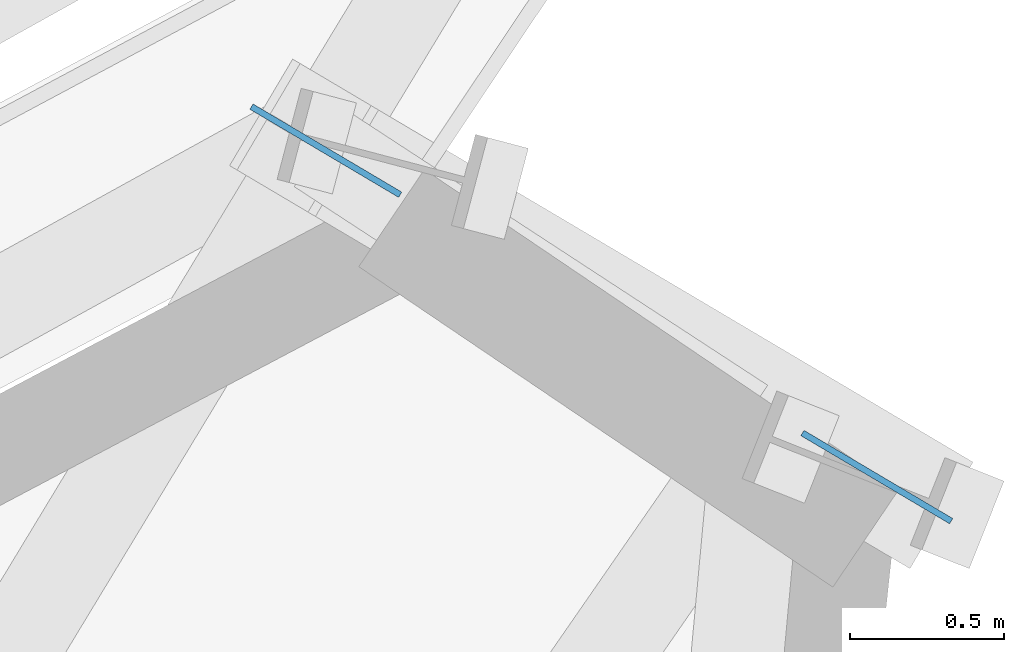
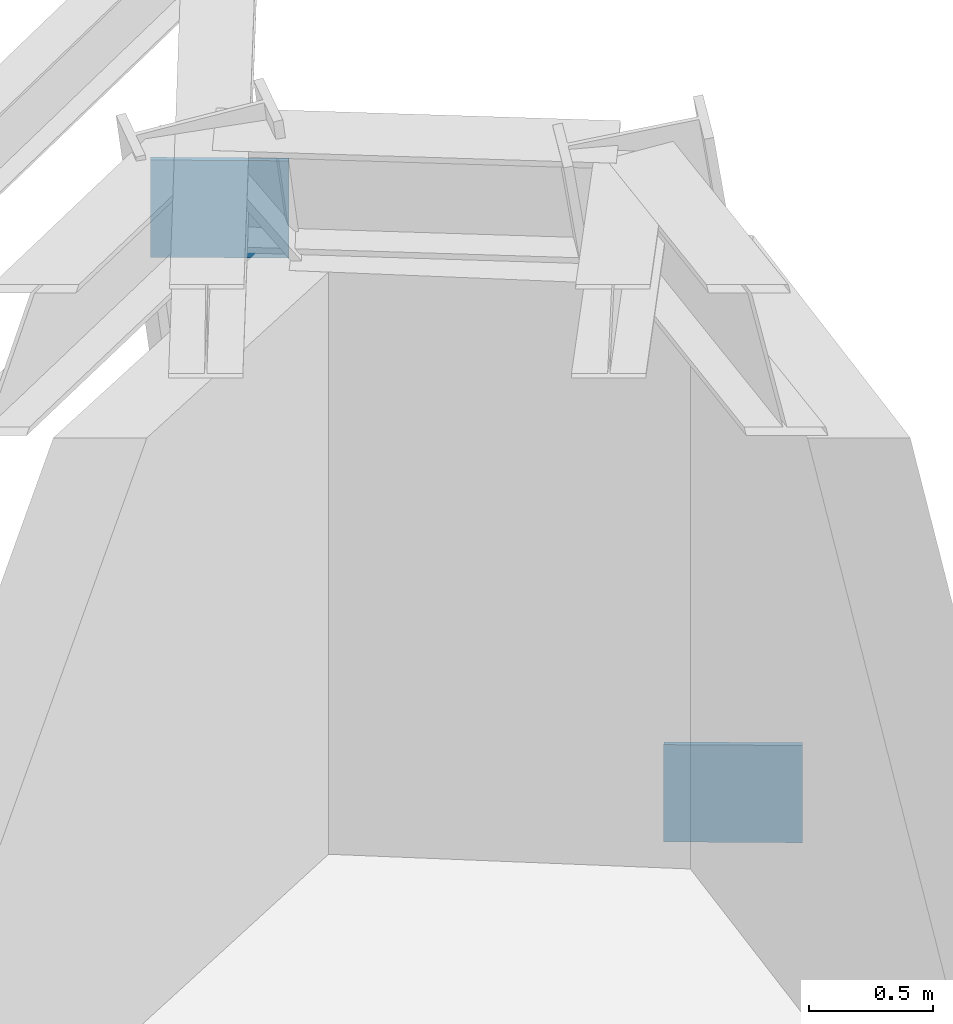
# One storey, part 7 of 13: 2 plates.
"""IFC4 building model written with IfcOpenShell, lengths in metres."""

from ifc_helpers import new_model, si_unit, direction, frame, origin, origin_2d, place, context, subcontext, project, spatial, rectangle, extrude, source, transform, mapped, material, type_object, element, save


model = new_model("IFC4")

# Units and contexts
model_context = context("Model", 3, precision=1e-05, world=origin(), true_north=direction((0.0, 1.0)))
body_context = subcontext(model_context, "Body", "Model", "MODEL_VIEW")
ifc_project = project(units=[si_unit("LENGTHUNIT", "METRE"), si_unit("AREAUNIT", "SQUARE_METRE"), si_unit("VOLUMEUNIT", "CUBIC_METRE"), si_unit("PLANEANGLEUNIT", "RADIAN"), si_unit("MASSUNIT", "GRAM", prefix="KILO")], contexts=[model_context])

# Site, building, storey
site_placement = place(None, origin())
site = spatial("IfcSite", under=ifc_project, at=site_placement, CompositionType="ELEMENT")
building_placement = place(site_placement, origin())
building = spatial("IfcBuilding", under=site, at=building_placement, Name="Olszyna Solenne Hotel", CompositionType="ELEMENT")
storey_placement = place(building_placement, frame((0.0, 0.0, 263.300048828125)))
storey = spatial("IfcBuildingStorey", under=building, at=storey_placement, Name="L70", CompositionType="ELEMENT", Elevation=263.300048828125)

# Plates
ifc_material = material(Name="Steel S355J2", Category="steel")
plate_type = type_object("IfcPlateType", Name="GP-ND2", PredefinedType="USERDEFINED", material=ifc_material)
shared_shape = source(origin(), body_context, "Body", "SweptSolid", [
    extrude(rectangle(XDim=0.56005859375, YDim=0.02001953125, at=origin_2d()), origin(), (0.0, 0.0, 1.0), 0.47998046875),
])
for number, where, z_axis, x_axis, name in (
    (1, (54.013671875, 49.038330078125, -0.11669921875), (0.0, 0.0, 1.0), (-0.860386439326, 0.509642202947, 0.0), "Brace end connection gusset plate GP-ND2 EP-BR-L70-1-1"),
    (2, (52.228759765625, 50.095703125, 2.75146484375), (0.0, 0.0, 1.0), (-0.860386439326, 0.509642202947, 0.0), "Brace end connection gusset plate GP-ND2 EP-BR-L70-1-2"),
):
    element("IfcPlate", number, at=place(storey_placement, frame(where, z_axis=z_axis, x_axis=x_axis)), inside=storey, type_object=plate_type, Name=name, ObjectType="GUSSET_PLATE", PredefinedType="USERDEFINED", context=body_context, shape_type="MappedRepresentation", body=[
        mapped(shared_shape, transform((0.0, 0.0, 0.0), x_axis=(1.0, 0.0, 0.0), y_axis=(0.0, 1.0, 0.0), z_axis=(0.0, 0.0, 1.0), scale=1.0)),
    ])

save(model, "model.ifc")
